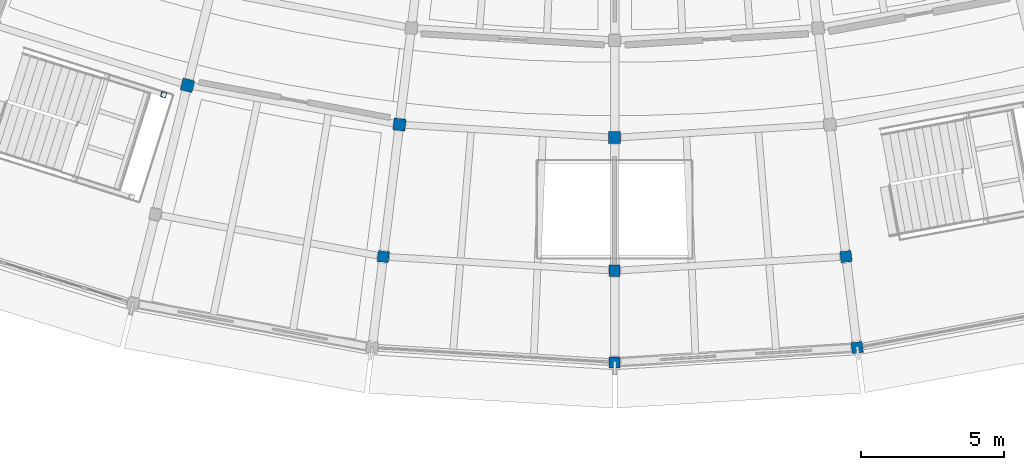
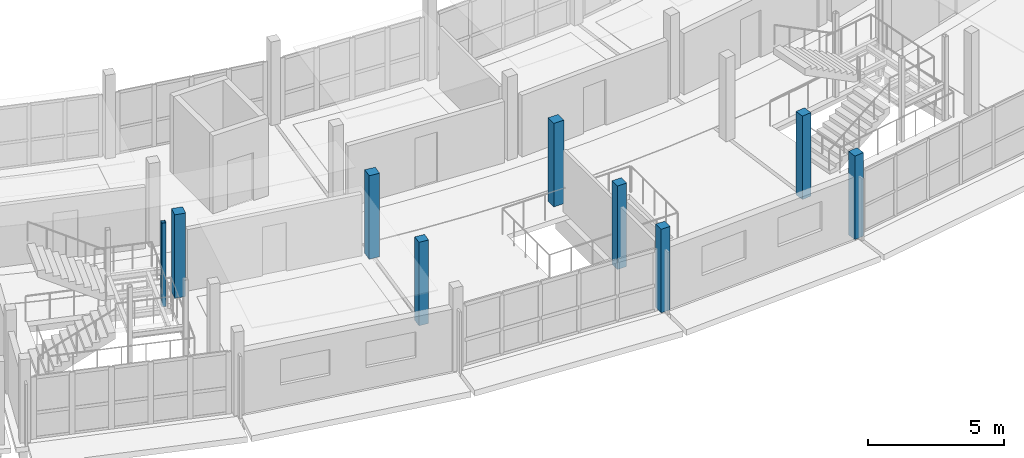
# One storey, part 8 of 77: 9 columns.
"""IFC4 building model written with IfcOpenShell, lengths in metres."""

from ifc_helpers import new_model, si_unit, direction, frame, origin, origin_2d, place, context, subcontext, project, spatial, rectangle, hollow_rectangle, extrude, material, material_profile, profile_set, type_object, element, save


model = new_model("IFC4")

# Units and contexts
model_context = context("Model", 3, precision=1e-05, world=origin(), true_north=direction((0.0, 1.0)))
body_context = subcontext(model_context, "Body", "Model", "MODEL_VIEW")
ifc_project = project(units=[si_unit("LENGTHUNIT", "METRE"), si_unit("AREAUNIT", "SQUARE_METRE"), si_unit("VOLUMEUNIT", "CUBIC_METRE"), si_unit("PLANEANGLEUNIT", "RADIAN"), si_unit("MASSUNIT", "GRAM", prefix="KILO")], contexts=[model_context])

# Site, building, storey
site_placement = place(None, origin())
site = spatial("IfcSite", under=ifc_project, at=site_placement, CompositionType="ELEMENT")
building_placement = place(site_placement, origin())
building = spatial("IfcBuilding", under=site, at=building_placement, Name="Caldaven Crescent School", CompositionType="ELEMENT")
storey_placement = place(building_placement, frame((0.0, 0.0, 4.419921875)))
storey = spatial("IfcBuildingStorey", under=building, at=storey_placement, Name="L01", CompositionType="ELEMENT", Elevation=4.419921875)

# Columns
ifc_material_1 = material(Name="Glulam MLE24h (GL28h)", Category="wood")
ifc_material_profile_1 = material_profile(ifc_material_1, rectangle(XDim=0.389892578125, YDim=0.389892578125, at=origin_2d()), Name="MLE 390x390")
ifc_profile_set_1 = profile_set([ifc_material_profile_1], Name="Glulam MLE24h (GL28h)")
column_type_1 = type_object("IfcColumnType", Name="COL-GL39", PredefinedType="COLUMN", material=ifc_profile_set_1)
for number, where, z_axis, x_axis, name in (
    (1, (79.9140625, 30.14453125, 0.0), (0.0, 0.0, 1.0), (-0.121869343405, -0.992546151641, 0.0), "COL-V5-L01-02-3"),
    (2, (88.0, 29.64990234375, 0.0), (0.0, 0.0, 1.0), (0.0, -1.0, 0.0), "COL-V5-L01-03-3"),
    (3, (88.0, 26.449951171875, 0.0), (0.0, 0.0, 1.0), (0.0, -1.0, 0.0), "COL-V5-L01-03-4"),
    (4, (96.0859375, 30.14453125, 0.0), (0.0, 0.0, 1.0), (0.121869343405, -0.992546151641, 0.0), "COL-V5-L01-04-3"),
    (5, (96.47607421875, 26.968505859375, 0.0), (0.0, 0.0, 1.0), (0.121869343405, -0.992546151641, 0.0), "COL-V5-L01-04-4"),
):
    element("IfcColumn", number, at=place(storey_placement, frame(where, z_axis=z_axis, x_axis=x_axis)), inside=storey, type_object=column_type_1, Name=name, PredefinedType="COLUMN", context=body_context, shape_type="SweptSolid", body=[
        extrude(rectangle(XDim=0.389892578125, YDim=0.389892578125, at=origin_2d()), origin(), (0.0, 0.0, 1.0), 3.739990234375),
    ])
ifc_material_profile_2 = material_profile(ifc_material_1, rectangle(XDim=0.419921875, YDim=0.419921875, at=origin_2d()), Name="MLE 420x420")
ifc_profile_set_2 = profile_set([ifc_material_profile_2], Name="Glulam MLE24h (GL28h)")
column_type_2 = type_object("IfcColumnType", Name="COL-GL42", PredefinedType="COLUMN", material=ifc_profile_set_2)
for number, where, z_axis, x_axis, name in (
    (6, (73.073486328125, 36.1328125, 0.0), (0.0, 0.0, 1.0), (-0.2419218956, -0.970295726276, 0.0), "COL-V5-L01-01-2"),
    (7, (80.480712890625, 34.760009765625, 0.0), (0.0, 0.0, 1.0), (-0.121869343405, -0.992546151641, 0.0), "COL-V5-L01-02-2"),
    (8, (88.0, 34.300048828125, 0.0), (0.0, 0.0, 1.0), (0.0, -1.0, 0.0), "COL-V5-L01-03-2"),
):
    element("IfcColumn", number, at=place(storey_placement, frame(where, z_axis=z_axis, x_axis=x_axis)), inside=storey, type_object=column_type_2, Name=name, PredefinedType="COLUMN", context=body_context, shape_type="SweptSolid", body=[
        extrude(rectangle(XDim=0.419921875, YDim=0.419921875, at=origin_2d()), origin(), (0.0, 0.0, 1.0), 3.739990234375),
    ])
ifc_material_2 = material(Name="Steel ASTM A572 Grade 50", Category="steel")
ifc_material_profile_3 = material_profile(ifc_material_2, hollow_rectangle(XDim=0.179931640625, YDim=0.179931640625, WallThickness=0.010009765625, InnerFilletRadius=0.010009765625, OuterFilletRadius=0.02001953125, at=origin_2d()), Name="HSS 180x180x10")
ifc_profile_set_3 = profile_set([ifc_material_profile_3], Name="Steel ASTM A572 Grade 50")
column_type_3 = type_object("IfcColumnType", Name="COL-HS18", PredefinedType="COLUMN", material=ifc_profile_set_3)
column_placement = place(storey_placement, frame((72.239013671875, 35.80322265625, 0.0), z_axis=(0.0, 0.0, 1.0), x_axis=(0.953716950748, -0.300705799504, 0.0)))
element("IfcColumn", 9, at=column_placement, inside=storey, type_object=column_type_3, Name="COL-STPOST-ST2-L01-D", PredefinedType="COLUMN", context=body_context, shape_type="SweptSolid", body=[
    extrude(hollow_rectangle(XDim=0.179931640625, YDim=0.179931640625, WallThickness=0.010009765625, InnerFilletRadius=0.010009765625, OuterFilletRadius=0.02001953125, at=origin_2d()), origin(), (0.0, 0.0, 1.0), 3.739990234375),
])

save(model, "model.ifc")
